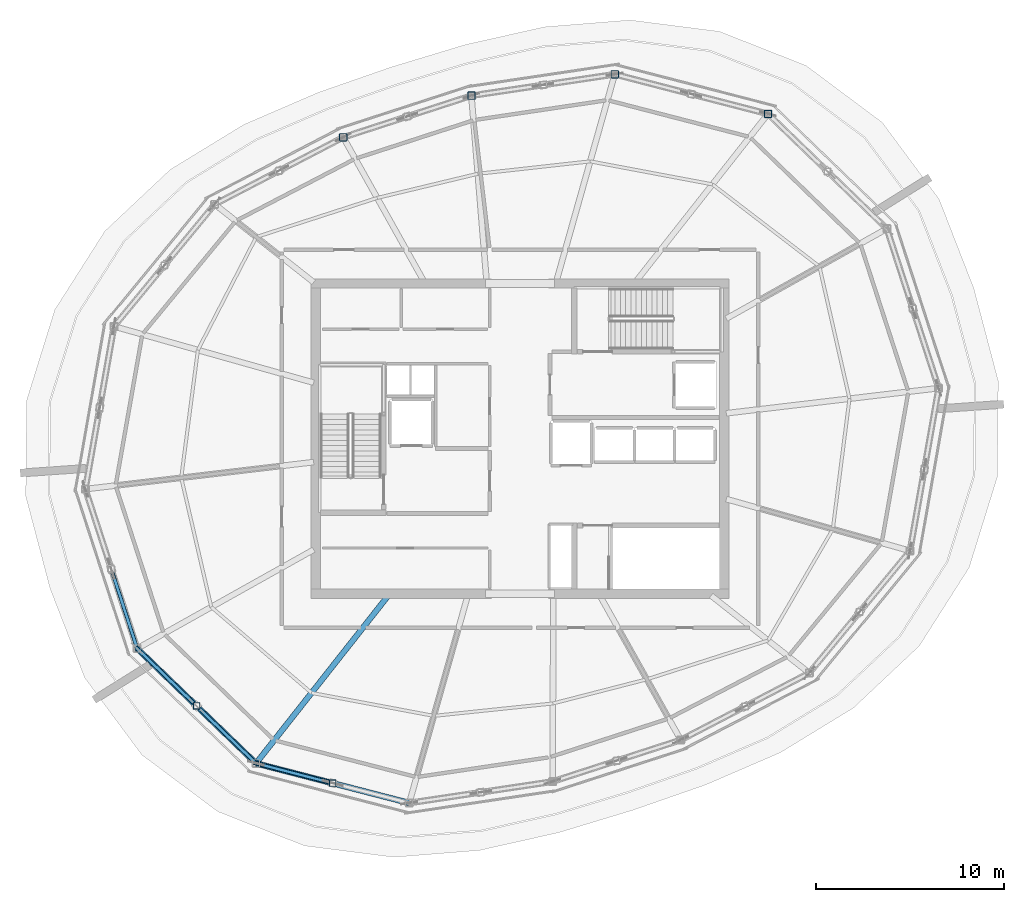
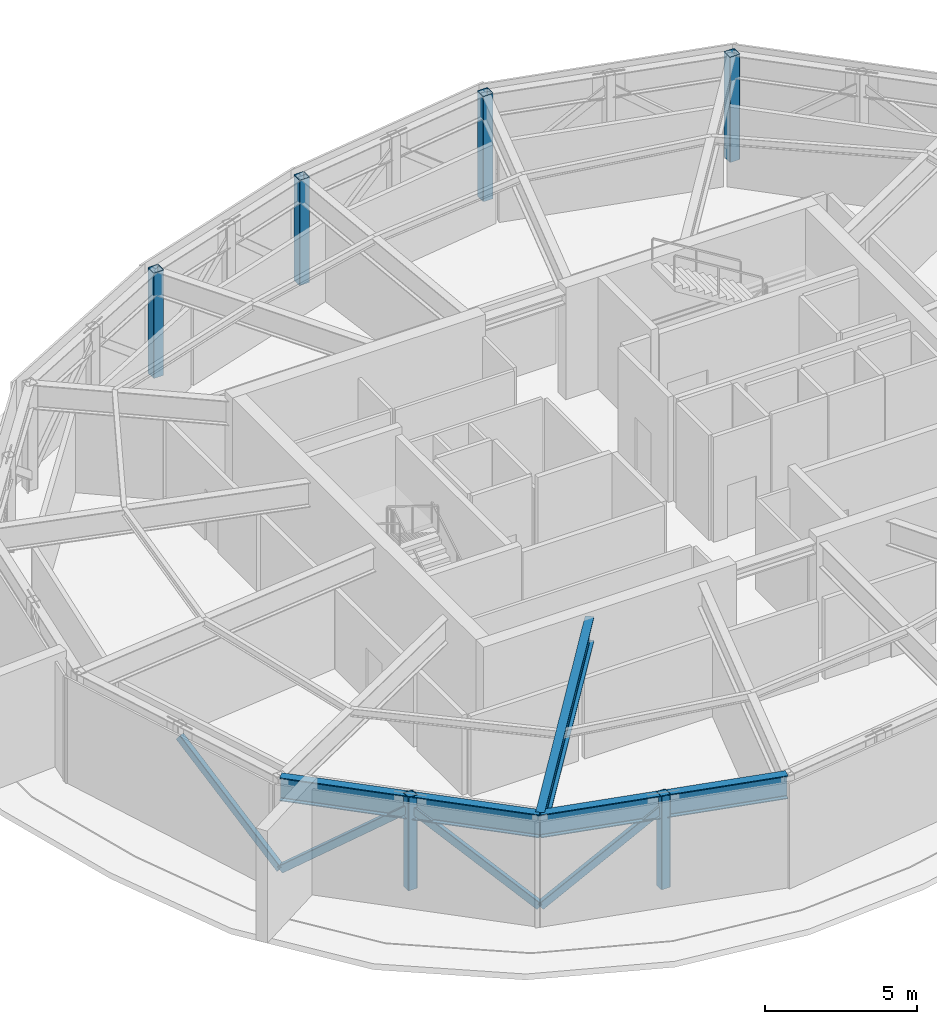
# One storey, part 4 of 14: 6 members, 4 columns, 3 beams.
"""IFC4 building model written with IfcOpenShell, lengths in metres."""

import ifcopenshell
import ifcopenshell.guid

model = None  # the IFC model being written
_history = None  # IfcOwnerHistory: only IFC2X3 demands one
_inside = {}  # id of a spatial element -> (the spatial element, [elements in it])
_under = {}  # id of a project, library or spatial element -> (it, [spatial elements below it])
_declared = {}  # id of a project -> (the project, [libraries it declares])
_typed = {}  # id of a type object -> (the type object, [elements of that type])
_made_of = {}  # id of a material, layer set ... -> (it, [elements and type objects made of it])


def new_model(schema):
    """Start an empty IFC model of exactly this schema.

    Asked for "IFC4X3", IfcOpenShell would pick the latest addendum, in which some entities
    have other attributes; the version numbers below select the first issue.
    IFC2X3 requires an IfcOwnerHistory on every rooted entity: one is made here for all.
    """
    global model, _history
    if schema == "IFC4X3":
        model = ifcopenshell.file(schema_version=(4, 3, 0, 0))
    else:
        model = ifcopenshell.file(schema=schema)
    _inside.clear()
    _under.clear()
    _declared.clear()
    _typed.clear()
    _made_of.clear()
    _history = None
    if model.schema == "IFC2X3":
        org = make("IfcOrganization", Name="unknown")
        user = make(
            "IfcPersonAndOrganization",
            ThePerson=make("IfcPerson", FamilyName="unknown"),
            TheOrganization=org,
        )
        app = make(
            "IfcApplication",
            ApplicationDeveloper=org,
            Version="unknown",
            ApplicationFullName="unknown",
            ApplicationIdentifier="unknown",
        )
        _history = make(
            "IfcOwnerHistory",
            OwningUser=user,
            OwningApplication=app,
            ChangeAction="ADDED",
            CreationDate=0,
        )
    return model


def make(cls, **values):
    """One entity of the class cls with the attributes given. An attribute that is None is left unset."""
    return model.create_entity(
        cls, **{name: value for name, value in values.items() if value is not None}
    )


def rooted(cls, **values):
    """An entity with a GlobalId (a new one), such as an element, a storey or a relation."""
    return make(cls, GlobalId=ifcopenshell.guid.new(), OwnerHistory=_history, **values)


def si_unit(unit_type, name, prefix=None):
    """IfcSIUnit, for example si_unit("LENGTHUNIT", "METRE", prefix="MILLI")."""
    return make("IfcSIUnit", UnitType=unit_type, Prefix=prefix, Name=name)


def assignment(units):
    """IfcUnitAssignment: the units of a project."""
    return None if units is None else make("IfcUnitAssignment", Units=units)


def point(xyz):
    """IfcCartesianPoint."""
    return None if xyz is None else make("IfcCartesianPoint", Coordinates=xyz)


def direction(xyz):
    """IfcDirection."""
    return None if xyz is None else make("IfcDirection", DirectionRatios=xyz)


def frame(location, z_axis=None, x_axis=None):
    """IfcAxis2Placement3D, a coordinate frame: its origin and axes. An axis left out is left unset."""
    return make(
        "IfcAxis2Placement3D",
        Location=point(location),
        Axis=direction(z_axis),
        RefDirection=direction(x_axis),
    )


def frame_2d(location, x_axis=None):
    """IfcAxis2Placement2D, a coordinate frame in the plane: its origin and x axis."""
    return make(
        "IfcAxis2Placement2D", Location=point(location), RefDirection=direction(x_axis)
    )


def origin():
    """The frame at (0, 0, 0) with its axes left unset."""
    return frame((0.0, 0.0, 0.0))


def origin_2d():
    """The frame at (0, 0) in the plane with its x axis left unset."""
    return frame_2d((0.0, 0.0))


def place(relative_to, where):
    """IfcLocalPlacement: puts the frame where relative to a parent placement (None: the world)."""
    return make(
        "IfcLocalPlacement", PlacementRelTo=relative_to, RelativePlacement=where
    )


def context(
    kind, dimensions, precision=None, world=None, true_north=None, identifier=None
):
    """IfcGeometricRepresentationContext, for example the 3D "Model" context."""
    return make(
        "IfcGeometricRepresentationContext",
        ContextIdentifier=identifier,
        ContextType=kind,
        CoordinateSpaceDimension=dimensions,
        Precision=precision,
        WorldCoordinateSystem=world,
        TrueNorth=true_north,
    )


def subcontext(parent, identifier, kind, view, scale=None):
    """IfcGeometricRepresentationSubContext, for example "Body" below "Model"."""
    return make(
        "IfcGeometricRepresentationSubContext",
        ContextIdentifier=identifier,
        ContextType=kind,
        ParentContext=parent,
        TargetScale=scale,
        TargetView=view,
    )


def project(units=None, contexts=None):
    """IfcProject with its units and contexts."""
    return rooted(
        "IfcProject",
        Name="project",
        RepresentationContexts=contexts,
        UnitsInContext=assignment(units),
    )


def spatial(cls, under=None, at=None, **own):
    """A site, building, storey or space (cls), placed at a placement, below another one or the project."""
    s = rooted(cls, ObjectPlacement=at, **own)
    if under is not None:
        _under.setdefault(under.id(), (under, []))[1].append(s)
    return s


def profile(cls, at=None, kind="AREA", **sizes):
    """A parametric profile (cls). Its sizes go by their IFC names, for example OverallWidth=200.0."""
    return make(cls, ProfileType=kind, Position=at, **sizes)


def hollow_rectangle(**sizes):
    """IfcRectangleHollowProfileDef."""
    return profile("IfcRectangleHollowProfileDef", **sizes)


def i_section(**sizes):
    """IfcIShapeProfileDef."""
    return profile("IfcIShapeProfileDef", **sizes)


def extrude(swept, where, along, depth):
    """IfcExtrudedAreaSolid: the profile swept, set in the frame where, extruded along a direction by depth."""
    return make(
        "IfcExtrudedAreaSolid",
        SweptArea=swept,
        Position=where,
        ExtrudedDirection=direction(along),
        Depth=depth,
    )


def shape(context_of_items, identifier, shape_type, items):
    """IfcShapeRepresentation: the items that make up one representation, for example the "Body"."""
    return make(
        "IfcShapeRepresentation",
        ContextOfItems=context_of_items,
        RepresentationIdentifier=identifier,
        RepresentationType=shape_type,
        Items=items,
    )


def material(Name=None, Category=None):
    """IfcMaterial."""
    return make("IfcMaterial", Name=Name, Category=Category)


def material_profile(
    of_material, cross_section, Name=None, Category=None, Priority=None
):
    """IfcMaterialProfile: a cross section and its material."""
    return make(
        "IfcMaterialProfile",
        Name=Name,
        Material=of_material,
        Profile=cross_section,
        Priority=Priority,
        Category=Category,
    )


def profile_set(profiles, Name=None, composite=None):
    """IfcMaterialProfileSet."""
    return make(
        "IfcMaterialProfileSet",
        Name=Name,
        MaterialProfiles=profiles,
        CompositeProfile=composite,
    )


def made_of(thing, what):
    """Note that an element or type object is made of a material, layer set ...; save() writes the relation."""
    if what is not None:
        _made_of.setdefault(what.id(), (what, []))[1].append(thing)
    return thing


def type_object(cls, material=None, **own):
    """A type object (cls), such as IfcWallType, which elements share."""
    return made_of(rooted(cls, **own), material)


def element(
    cls,
    number,
    at=None,
    inside=None,
    cuts=None,
    type_object=None,
    material=None,
    context=None,
    identifier="Body",
    shape_type=None,
    held_by="IfcProductDefinitionShape",
    body=None,
    shapes=None,
    **own,
):
    """One element of the class cls, such as IfcWall. Its Tag is "e" and its number.

    at: its placement. inside: the storey or other place that contains it. cuts: it is an
    opening in that element (IfcRelVoidsElement). A single representation is given by context,
    identifier, shape_type and body (its items); several are given by shapes. held_by: the class
    of the entity that holds the representations. save() writes the other relations.
    """
    e = rooted(cls, Tag="e%d" % number, ObjectPlacement=at, **own)
    if body is not None:
        shapes = [shape(context, identifier, shape_type, body)]
    if shapes is not None:
        e.Representation = make(held_by, Representations=shapes)
    if inside is not None:
        _inside.setdefault(inside.id(), (inside, []))[1].append(e)
    if cuts is not None:
        rooted(
            "IfcRelVoidsElement", RelatingBuildingElement=cuts, RelatedOpeningElement=e
        )
    if type_object is not None:
        _typed.setdefault(type_object.id(), (type_object, []))[1].append(e)
    return made_of(e, material)


def aggregate(whole, parts):
    """IfcRelAggregates: a whole, such as a stair, and the parts it consists of."""
    return rooted("IfcRelAggregates", RelatingObject=whole, RelatedObjects=parts)


def save(model, path):
    """Write the relations noted so far, then the file.

    IfcRelAggregates (storeys below a building ...), IfcRelContainedInSpatialStructure (elements
    in a storey), IfcRelDefinesByType, IfcRelAssociatesMaterial and IfcRelDeclares: one each for
    every whole, place, type object, material and project.
    """
    for whole, parts in _under.values():
        aggregate(whole, parts)
    for where, things in _inside.values():
        rooted(
            "IfcRelContainedInSpatialStructure",
            RelatedElements=things,
            RelatingStructure=where,
        )
    for kind, things in _typed.values():
        rooted("IfcRelDefinesByType", RelatedObjects=things, RelatingType=kind)
    for what, things in _made_of.values():
        rooted("IfcRelAssociatesMaterial", RelatedObjects=things, RelatingMaterial=what)
    for by, libraries in _declared.values():
        rooted("IfcRelDeclares", RelatingContext=by, RelatedDefinitions=libraries)
    model.write(path)


model = new_model("IFC4")

# Units and contexts
model_context = context("Model", 3, precision=1e-05, world=origin(), true_north=direction((0.0, 1.0)))
body_context = subcontext(model_context, "Body", "Model", "MODEL_VIEW")
ifc_project = project(units=[si_unit("LENGTHUNIT", "METRE"), si_unit("AREAUNIT", "SQUARE_METRE"), si_unit("VOLUMEUNIT", "CUBIC_METRE"), si_unit("PLANEANGLEUNIT", "RADIAN"), si_unit("MASSUNIT", "GRAM", prefix="KILO")], contexts=[model_context])

# Site, building, storey
site_placement = place(None, origin())
site = spatial("IfcSite", under=ifc_project, at=site_placement, CompositionType="ELEMENT")
building_placement = place(site_placement, origin())
building = spatial("IfcBuilding", under=site, at=building_placement, Name="Kazma Halo Residences", CompositionType="ELEMENT")
storey_placement = place(building_placement, frame((0.0, 0.0, 351.5)))
storey = spatial("IfcBuildingStorey", under=building, at=storey_placement, Name="L88", CompositionType="ELEMENT", Elevation=351.5)

# Columns
ifc_material = material(Name="Steel S355", Category="steel")
ifc_material_profile_1 = material_profile(ifc_material, hollow_rectangle(XDim=0.39990234375, YDim=0.39990234375, WallThickness=0.02001953125, InnerFilletRadius=0.02001953125, OuterFilletRadius=0.0400390625, at=origin_2d()), Name="SHS400x400x20")
ifc_profile_set_1 = profile_set([ifc_material_profile_1], Name="Steel S355")
column_type = type_object("IfcColumnType", Name="COL-CROWN-SHS400", PredefinedType="COLUMN", material=ifc_profile_set_1)
for number, where, z_axis, x_axis, name in (
    (1, (61.617431640625, 59.273681640625, 0.0), (0.0, 0.0, 1.0), (1.0, 0.0, 0.0), "L88 perimeter ring column P02"),
    (2, (53.46630859375, 61.38232421875, 0.0), (0.0, 0.0, 1.0), (1.0, 0.0, 0.0), "L88 perimeter ring column P03"),
    (3, (45.8408203125, 60.24365234375, 0.0), (0.0, 0.0, 1.0), (1.0, 0.0, 0.0), "L88 perimeter ring column P04"),
    (4, (39.0234375, 58.02880859375, 0.0), (0.0, 0.0, 1.0), (1.0, 0.0, 0.0), "L88 perimeter ring column P05"),
):
    element("IfcColumn", number, at=place(storey_placement, frame(where, z_axis=z_axis, x_axis=x_axis)), inside=storey, type_object=column_type, Name=name, PredefinedType="COLUMN", context=body_context, shape_type="SweptSolid", body=[
        extrude(hollow_rectangle(XDim=0.39990234375, YDim=0.39990234375, WallThickness=0.02001953125, InnerFilletRadius=0.02001953125, OuterFilletRadius=0.0400390625, at=origin_2d()), origin(), (0.0, 0.0, 1.0), 4.219970703125),
    ])

# Beams
ifc_material_profile_2 = material_profile(ifc_material, i_section(OverallWidth=0.30908203125, OverallDepth=0.931884765625, WebThickness=0.02099609375, FlangeThickness=0.034423828125, FilletRadius=0.02392578125, at=origin_2d()), Name="W920x313")
ifc_profile_set_2 = profile_set([ifc_material_profile_2], Name="Steel S355")
beam_type_1 = type_object("IfcBeamType", Name="BM-BELT-W920A", PredefinedType="BEAM", material=ifc_profile_set_2)
beam_1_placement = place(storey_placement, frame((28.059326171875, 30.832763671875, 3.75390625), z_axis=(0.719330630477, -0.694667866003, 0.0), x_axis=(0.694667866003, 0.719330630477, 0.0)))
element("IfcBeam", 5, at=beam_1_placement, inside=storey, type_object=beam_type_1, Name="L88 perimeter ring beam 09", PredefinedType="BEAM", context=body_context, shape_type="SweptSolid", body=[
    extrude(i_section(OverallWidth=0.30908203125, OverallDepth=0.931884765625, WebThickness=0.02099609375, FlangeThickness=0.034423828125, FilletRadius=0.02392578125, at=origin_2d()), origin(), (0.0, 0.0, 1.0), 8.79052734375),
])
beam_2_placement = place(storey_placement, frame((34.382568359375, 24.726318359375, 3.75390625), z_axis=(0.968129821283, -0.250448895271, 0.0), x_axis=(0.250448895271, 0.968129821283, 0.0)))
element("IfcBeam", 6, at=beam_2_placement, inside=storey, type_object=beam_type_1, Name="L88 perimeter ring beam 10", PredefinedType="BEAM", context=body_context, shape_type="SweptSolid", body=[
    extrude(i_section(OverallWidth=0.30908203125, OverallDepth=0.931884765625, WebThickness=0.02099609375, FlangeThickness=0.034423828125, FilletRadius=0.02392578125, at=origin_2d()), origin(), (0.0, 0.0, 1.0), 8.41943359375),
])
ifc_material_profile_3 = material_profile(ifc_material, i_section(OverallWidth=0.300048828125, OverallDepth=0.98193359375, WebThickness=0.0166015625, FlangeThickness=0.032958984375, FilletRadius=0.02587890625, at=origin_2d()), Name="W1000x296")
ifc_profile_set_3 = profile_set([ifc_material_profile_3], Name="Steel S355")
beam_type_2 = type_object("IfcBeamType", Name="BM-OUTR-W1000C", PredefinedType="BEAM", material=ifc_profile_set_3)
beam_3_placement = place(storey_placement, frame((41.41748046875, 33.64990234375, 3.72900390625), z_axis=(-0.619100773028, -0.785311551447, 0.0), x_axis=(0.785311551447, -0.619100773028, 0.0)))
element("IfcBeam", 7, at=beam_3_placement, inside=storey, type_object=beam_type_2, Name="L88 radial floor beam 10", PredefinedType="BEAM", context=body_context, shape_type="SweptSolid", body=[
    extrude(i_section(OverallWidth=0.300048828125, OverallDepth=0.98193359375, WebThickness=0.0166015625, FlangeThickness=0.032958984375, FilletRadius=0.02587890625, at=origin_2d()), origin(), (0.0, 0.0, 1.0), 11.363037109375),
])

# Members
ifc_material_profile_4 = material_profile(ifc_material, hollow_rectangle(XDim=0.199951171875, YDim=0.300048828125, WallThickness=0.012451171875, InnerFilletRadius=0.012451171875, OuterFilletRadius=0.02490234375, at=origin_2d()), Name="RHS300x200x12.5")
ifc_profile_set_4 = profile_set([ifc_material_profile_4], Name="Steel S355")
member_type_1 = type_object("IfcMemberType", Name="MBR-BELT-RHS300", PredefinedType="BRACE", material=ifc_profile_set_4)
member_1_placement = place(storey_placement, frame((28.059326171875, 30.832763671875, 0.47998046875), z_axis=(-0.25053863544, 0.771014450559, 0.585463157834), x_axis=(-0.951048955934, -0.309040261805, 0.0)))
element("IfcMember", 8, at=member_1_placement, inside=storey, type_object=member_type_1, Name="L88 belt-truss chevron diagonal 08B", PredefinedType="BRACE", context=body_context, shape_type="SweptSolid", body=[
    extrude(hollow_rectangle(XDim=0.199951171875, YDim=0.300048828125, WallThickness=0.012451171875, InnerFilletRadius=0.012451171875, OuterFilletRadius=0.02490234375, at=origin_2d()), origin(), (0.0, 0.0, 1.0), 5.499755859375),
])
for number, where, z_axis, x_axis, name in (
    (9, (28.059326171875, 30.832763671875, 0.47998046875), (0.580272931554, -0.560377859615, 0.590982215773), (0.694667866003, 0.719330630477, 0.0), "L88 belt-truss chevron diagonal 09A"),
    (10, (34.382568359375, 24.726318359375, 0.47998046875), (-0.580272931554, 0.560377859615, 0.590982215773), (-0.694667866003, -0.719330630477, 0.0), "L88 belt-truss chevron diagonal 09B"),
):
    element("IfcMember", number, at=place(storey_placement, frame(where, z_axis=z_axis, x_axis=x_axis)), inside=storey, type_object=member_type_1, Name=name, PredefinedType="BRACE", context=body_context, shape_type="SweptSolid", body=[
        extrude(hollow_rectangle(XDim=0.199951171875, YDim=0.300048828125, WallThickness=0.012451171875, InnerFilletRadius=0.012451171875, OuterFilletRadius=0.02490234375, at=origin_2d()), origin(), (0.0, 0.0, 1.0), 5.448486328125),
    ])
member_2_placement = place(storey_placement, frame((34.382568359375, 24.726318359375, 0.47998046875), z_axis=(0.768967894326, -0.198909924381, 0.607555116412), x_axis=(0.250428747003, 0.968135033285, 0.0)))
element("IfcMember", 11, at=member_2_placement, inside=storey, type_object=member_type_1, Name="L88 belt-truss chevron diagonal 10A", PredefinedType="BRACE", context=body_context, shape_type="SweptSolid", body=[
    extrude(hollow_rectangle(XDim=0.199951171875, YDim=0.300048828125, WallThickness=0.012451171875, InnerFilletRadius=0.012451171875, OuterFilletRadius=0.02490234375, at=origin_2d()), origin(), (0.0, 0.0, 1.0), 5.2998046875),
])
ifc_material_profile_5 = material_profile(ifc_material, hollow_rectangle(XDim=0.35009765625, YDim=0.35009765625, WallThickness=0.01611328125, InnerFilletRadius=0.01611328125, OuterFilletRadius=0.031982421875, at=origin_2d()), Name="SHS350x350x16")
ifc_profile_set_5 = profile_set([ifc_material_profile_5], Name="Steel S355")
member_type_2 = type_object("IfcMemberType", Name="MBR-POST-SHS350", PredefinedType="STRUT", material=ifc_profile_set_5)
for number, where, z_axis, x_axis, name in (
    (12, (31.220947265625, 27.779541015625, 0.47998046875), (0.0, 0.0, 1.0), (1.0, 0.0, 0.0), "L88 belt-truss web post 09"),
    (13, (38.4580078125, 23.672119140625, 0.47998046875), (0.0, 0.0, 1.0), (1.0, 0.0, 0.0), "L88 belt-truss web post 10"),
):
    element("IfcMember", number, at=place(storey_placement, frame(where, z_axis=z_axis, x_axis=x_axis)), inside=storey, type_object=member_type_2, Name=name, PredefinedType="STRUT", context=body_context, shape_type="SweptSolid", body=[
        extrude(hollow_rectangle(XDim=0.35009765625, YDim=0.35009765625, WallThickness=0.01611328125, InnerFilletRadius=0.01611328125, OuterFilletRadius=0.031982421875, at=origin_2d()), origin(), (0.0, 0.0, 1.0), 3.739990234375),
    ])

save(model, "model.ifc")
